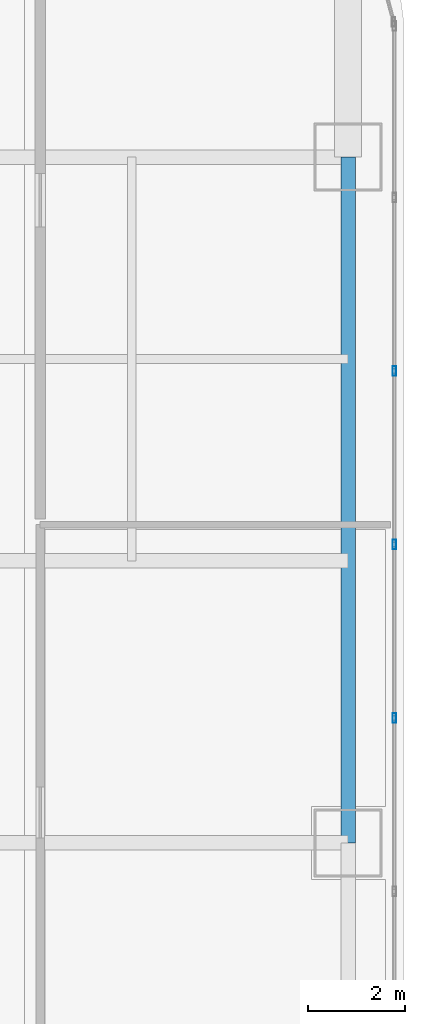
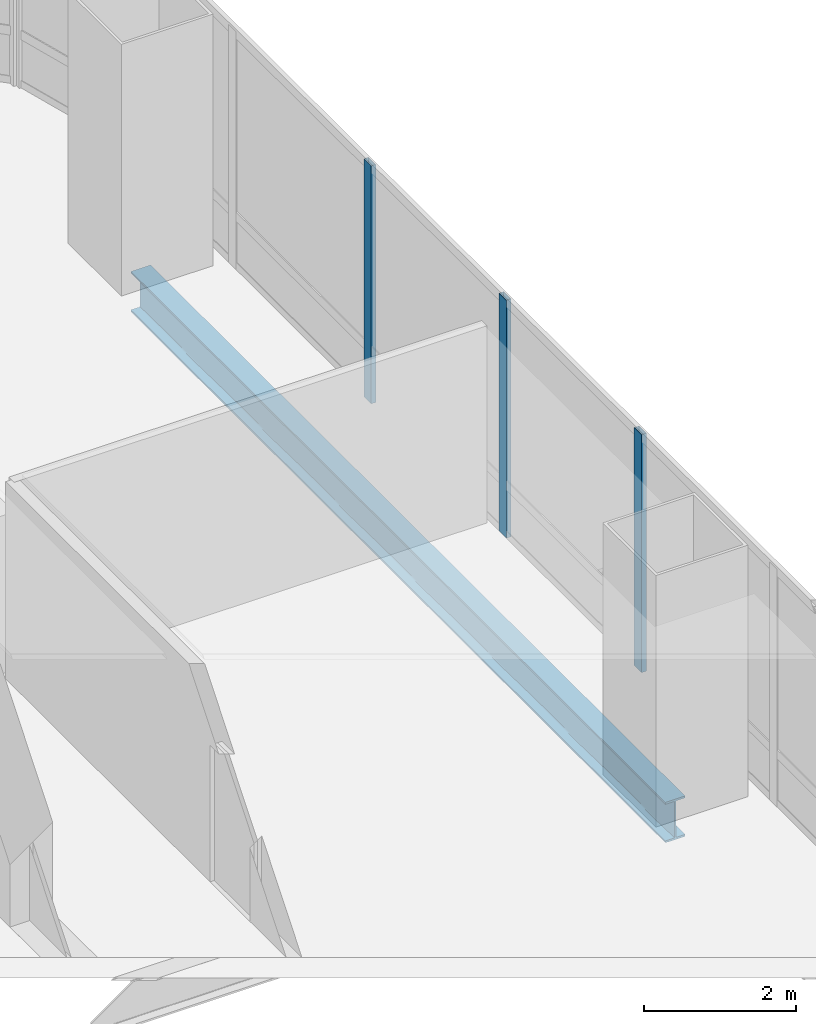
# One storey, part 18 of 38: 3 members, 1 beam, 1 element without a shape of its own.
"""IFC4 building model written with IfcOpenShell, lengths in metres."""

import ifcopenshell
import ifcopenshell.guid

model = None  # the IFC model being written
_history = None  # IfcOwnerHistory: only IFC2X3 demands one
_inside = {}  # id of a spatial element -> (the spatial element, [elements in it])
_under = {}  # id of a project, library or spatial element -> (it, [spatial elements below it])
_declared = {}  # id of a project -> (the project, [libraries it declares])
_typed = {}  # id of a type object -> (the type object, [elements of that type])
_made_of = {}  # id of a material, layer set ... -> (it, [elements and type objects made of it])


def new_model(schema):
    """Start an empty IFC model of exactly this schema.

    Asked for "IFC4X3", IfcOpenShell would pick the latest addendum, in which some entities
    have other attributes; the version numbers below select the first issue.
    IFC2X3 requires an IfcOwnerHistory on every rooted entity: one is made here for all.
    """
    global model, _history
    if schema == "IFC4X3":
        model = ifcopenshell.file(schema_version=(4, 3, 0, 0))
    else:
        model = ifcopenshell.file(schema=schema)
    _inside.clear()
    _under.clear()
    _declared.clear()
    _typed.clear()
    _made_of.clear()
    _history = None
    if model.schema == "IFC2X3":
        org = make("IfcOrganization", Name="unknown")
        user = make(
            "IfcPersonAndOrganization",
            ThePerson=make("IfcPerson", FamilyName="unknown"),
            TheOrganization=org,
        )
        app = make(
            "IfcApplication",
            ApplicationDeveloper=org,
            Version="unknown",
            ApplicationFullName="unknown",
            ApplicationIdentifier="unknown",
        )
        _history = make(
            "IfcOwnerHistory",
            OwningUser=user,
            OwningApplication=app,
            ChangeAction="ADDED",
            CreationDate=0,
        )
    return model


def make(cls, **values):
    """One entity of the class cls with the attributes given. An attribute that is None is left unset."""
    return model.create_entity(
        cls, **{name: value for name, value in values.items() if value is not None}
    )


def rooted(cls, **values):
    """An entity with a GlobalId (a new one), such as an element, a storey or a relation."""
    return make(cls, GlobalId=ifcopenshell.guid.new(), OwnerHistory=_history, **values)


def si_unit(unit_type, name, prefix=None):
    """IfcSIUnit, for example si_unit("LENGTHUNIT", "METRE", prefix="MILLI")."""
    return make("IfcSIUnit", UnitType=unit_type, Prefix=prefix, Name=name)


def assignment(units):
    """IfcUnitAssignment: the units of a project."""
    return None if units is None else make("IfcUnitAssignment", Units=units)


def point(xyz):
    """IfcCartesianPoint."""
    return None if xyz is None else make("IfcCartesianPoint", Coordinates=xyz)


def direction(xyz):
    """IfcDirection."""
    return None if xyz is None else make("IfcDirection", DirectionRatios=xyz)


def frame(location, z_axis=None, x_axis=None):
    """IfcAxis2Placement3D, a coordinate frame: its origin and axes. An axis left out is left unset."""
    return make(
        "IfcAxis2Placement3D",
        Location=point(location),
        Axis=direction(z_axis),
        RefDirection=direction(x_axis),
    )


def frame_2d(location, x_axis=None):
    """IfcAxis2Placement2D, a coordinate frame in the plane: its origin and x axis."""
    return make(
        "IfcAxis2Placement2D", Location=point(location), RefDirection=direction(x_axis)
    )


def origin():
    """The frame at (0, 0, 0) with its axes left unset."""
    return frame((0.0, 0.0, 0.0))


def origin_2d():
    """The frame at (0, 0) in the plane with its x axis left unset."""
    return frame_2d((0.0, 0.0))


def place(relative_to, where):
    """IfcLocalPlacement: puts the frame where relative to a parent placement (None: the world)."""
    return make(
        "IfcLocalPlacement", PlacementRelTo=relative_to, RelativePlacement=where
    )


def context(
    kind, dimensions, precision=None, world=None, true_north=None, identifier=None
):
    """IfcGeometricRepresentationContext, for example the 3D "Model" context."""
    return make(
        "IfcGeometricRepresentationContext",
        ContextIdentifier=identifier,
        ContextType=kind,
        CoordinateSpaceDimension=dimensions,
        Precision=precision,
        WorldCoordinateSystem=world,
        TrueNorth=true_north,
    )


def subcontext(parent, identifier, kind, view, scale=None):
    """IfcGeometricRepresentationSubContext, for example "Body" below "Model"."""
    return make(
        "IfcGeometricRepresentationSubContext",
        ContextIdentifier=identifier,
        ContextType=kind,
        ParentContext=parent,
        TargetScale=scale,
        TargetView=view,
    )


def project(units=None, contexts=None):
    """IfcProject with its units and contexts."""
    return rooted(
        "IfcProject",
        Name="project",
        RepresentationContexts=contexts,
        UnitsInContext=assignment(units),
    )


def spatial(cls, under=None, at=None, **own):
    """A site, building, storey or space (cls), placed at a placement, below another one or the project."""
    s = rooted(cls, ObjectPlacement=at, **own)
    if under is not None:
        _under.setdefault(under.id(), (under, []))[1].append(s)
    return s


def profile(cls, at=None, kind="AREA", **sizes):
    """A parametric profile (cls). Its sizes go by their IFC names, for example OverallWidth=200.0."""
    return make(cls, ProfileType=kind, Position=at, **sizes)


def hollow_rectangle(**sizes):
    """IfcRectangleHollowProfileDef."""
    return profile("IfcRectangleHollowProfileDef", **sizes)


def i_section(**sizes):
    """IfcIShapeProfileDef."""
    return profile("IfcIShapeProfileDef", **sizes)


def extrude(swept, where, along, depth):
    """IfcExtrudedAreaSolid: the profile swept, set in the frame where, extruded along a direction by depth."""
    return make(
        "IfcExtrudedAreaSolid",
        SweptArea=swept,
        Position=where,
        ExtrudedDirection=direction(along),
        Depth=depth,
    )


def shape(context_of_items, identifier, shape_type, items):
    """IfcShapeRepresentation: the items that make up one representation, for example the "Body"."""
    return make(
        "IfcShapeRepresentation",
        ContextOfItems=context_of_items,
        RepresentationIdentifier=identifier,
        RepresentationType=shape_type,
        Items=items,
    )


def material(Name=None, Category=None):
    """IfcMaterial."""
    return make("IfcMaterial", Name=Name, Category=Category)


def material_profile(
    of_material, cross_section, Name=None, Category=None, Priority=None
):
    """IfcMaterialProfile: a cross section and its material."""
    return make(
        "IfcMaterialProfile",
        Name=Name,
        Material=of_material,
        Profile=cross_section,
        Priority=Priority,
        Category=Category,
    )


def profile_set(profiles, Name=None, composite=None):
    """IfcMaterialProfileSet."""
    return make(
        "IfcMaterialProfileSet",
        Name=Name,
        MaterialProfiles=profiles,
        CompositeProfile=composite,
    )


def made_of(thing, what):
    """Note that an element or type object is made of a material, layer set ...; save() writes the relation."""
    if what is not None:
        _made_of.setdefault(what.id(), (what, []))[1].append(thing)
    return thing


def type_object(cls, material=None, **own):
    """A type object (cls), such as IfcWallType, which elements share."""
    return made_of(rooted(cls, **own), material)


def element(
    cls,
    number,
    at=None,
    inside=None,
    cuts=None,
    type_object=None,
    material=None,
    context=None,
    identifier="Body",
    shape_type=None,
    held_by="IfcProductDefinitionShape",
    body=None,
    shapes=None,
    **own,
):
    """One element of the class cls, such as IfcWall. Its Tag is "e" and its number.

    at: its placement. inside: the storey or other place that contains it. cuts: it is an
    opening in that element (IfcRelVoidsElement). A single representation is given by context,
    identifier, shape_type and body (its items); several are given by shapes. held_by: the class
    of the entity that holds the representations. save() writes the other relations.
    """
    e = rooted(cls, Tag="e%d" % number, ObjectPlacement=at, **own)
    if body is not None:
        shapes = [shape(context, identifier, shape_type, body)]
    if shapes is not None:
        e.Representation = make(held_by, Representations=shapes)
    if inside is not None:
        _inside.setdefault(inside.id(), (inside, []))[1].append(e)
    if cuts is not None:
        rooted(
            "IfcRelVoidsElement", RelatingBuildingElement=cuts, RelatedOpeningElement=e
        )
    if type_object is not None:
        _typed.setdefault(type_object.id(), (type_object, []))[1].append(e)
    return made_of(e, material)


def aggregate(whole, parts):
    """IfcRelAggregates: a whole, such as a stair, and the parts it consists of."""
    return rooted("IfcRelAggregates", RelatingObject=whole, RelatedObjects=parts)


def save(model, path):
    """Write the relations noted so far, then the file.

    IfcRelAggregates (storeys below a building ...), IfcRelContainedInSpatialStructure (elements
    in a storey), IfcRelDefinesByType, IfcRelAssociatesMaterial and IfcRelDeclares: one each for
    every whole, place, type object, material and project.
    """
    for whole, parts in _under.values():
        aggregate(whole, parts)
    for where, things in _inside.values():
        rooted(
            "IfcRelContainedInSpatialStructure",
            RelatedElements=things,
            RelatingStructure=where,
        )
    for kind, things in _typed.values():
        rooted("IfcRelDefinesByType", RelatedObjects=things, RelatingType=kind)
    for what, things in _made_of.values():
        rooted("IfcRelAssociatesMaterial", RelatedObjects=things, RelatingMaterial=what)
    for by, libraries in _declared.values():
        rooted("IfcRelDeclares", RelatingContext=by, RelatedDefinitions=libraries)
    model.write(path)


model = new_model("IFC4")

# Units and contexts
model_context = context("Model", 3, precision=1e-05, world=origin(), true_north=direction((0.0, 1.0)))
body_context = subcontext(model_context, "Body", "Model", "MODEL_VIEW")
ifc_project = project(units=[si_unit("LENGTHUNIT", "METRE"), si_unit("AREAUNIT", "SQUARE_METRE"), si_unit("VOLUMEUNIT", "CUBIC_METRE"), si_unit("PLANEANGLEUNIT", "RADIAN"), si_unit("MASSUNIT", "GRAM", prefix="KILO")], contexts=[model_context])

# Site, building, storey
site_placement = place(None, origin())
site = spatial("IfcSite", under=ifc_project, at=site_placement, CompositionType="ELEMENT")
building_placement = place(site_placement, origin())
building = spatial("IfcBuilding", under=site, at=building_placement, Name="Punatoya Terracotta Tower", CompositionType="ELEMENT")
storey_placement = place(building_placement, frame((0.0, 0.0, 151.949951171875)))
storey = spatial("IfcBuildingStorey", under=building, at=storey_placement, Name="L35", CompositionType="ELEMENT", Elevation=151.949951171875)

# Beam
ifc_material_1 = material(Name="Steel S355", Category="steel")
ifc_material_profile_1 = material_profile(ifc_material_1, i_section(OverallWidth=0.300048828125, OverallDepth=0.64990234375, WebThickness=0.01611328125, FlangeThickness=0.031005859375, FilletRadius=0.01806640625, at=origin_2d()))
ifc_profile_set_1 = profile_set([ifc_material_profile_1], Name="Steel S355")
beam_type = type_object("IfcBeamType", Name="BM-PRI-650", PredefinedType="BEAM", material=ifc_profile_set_1)
beam_placement = place(storey_placement, frame((19.10009765625, 3.39990234375, -0.544921875), z_axis=(0.0, 1.0, 0.0), x_axis=(-1.0, 0.0, 0.0)))
element("IfcBeam", 1, at=beam_placement, inside=storey, type_object=beam_type, Name="BM-L35-RG-E3", PredefinedType="BEAM", context=body_context, shape_type="SweptSolid", body=[
    extrude(i_section(OverallWidth=0.300048828125, OverallDepth=0.64990234375, WebThickness=0.01611328125, FlangeThickness=0.031005859375, FilletRadius=0.01806640625, at=origin_2d()), origin(), (0.0, 0.0, 1.0), 14.10009765625),
])

# Curtain wall, members
ifc_material_2 = material(Name="Aluminium 6063-T6 + Double Low-E Glass", Category="aluminium")
curtain_wall_type = type_object("IfcCurtainWallType", Name="CW-M2", PredefinedType="NOTDEFINED", material=ifc_material_2)
curtain_wall_placement = place(storey_placement, origin())
curtain_wall = element("IfcCurtainWall", 2, at=curtain_wall_placement, inside=storey, type_object=curtain_wall_type, Name="L35 Curtain Wall CW-L35-E05-1", PredefinedType="NOTDEFINED")
ifc_material_3 = material(Name="Aluminium 6063-T6", Category="aluminium")
ifc_material_profile_2 = material_profile(ifc_material_3, hollow_rectangle(XDim=0.072021484375, YDim=0.195068359375, WallThickness=0.00439453125, at=origin_2d()))
ifc_profile_set_2 = profile_set([ifc_material_profile_2], Name="Aluminium 6063-T6")
member_type = type_object("IfcMemberType", Name="CW-MUL-M2", PredefinedType="MULLION", material=ifc_profile_set_2)
member_1_placement = place(storey_placement, frame((20.050048828125, 5.96728515625, 0.0), z_axis=(0.0, 0.0, 1.0), x_axis=(1.0, 0.0, 0.0)))
member_1 = element("IfcMember", 3, at=member_1_placement, type_object=member_type, Name="CW-L35-E05-1 Mullion 06", PredefinedType="MULLION", context=body_context, shape_type="SweptSolid", body=[
    extrude(hollow_rectangle(XDim=0.072021484375, YDim=0.195068359375, WallThickness=0.00439453125, at=origin_2d()), origin(), (0.0, 0.0, 1.0), 3.830078125),
])
member_2_placement = place(storey_placement, frame((20.050048828125, 9.534912109375, 0.0), z_axis=(0.0, 0.0, 1.0), x_axis=(1.0, 0.0, 0.0)))
member_2 = element("IfcMember", 4, at=member_2_placement, type_object=member_type, Name="CW-L35-E05-1 Mullion 07", PredefinedType="MULLION", context=body_context, shape_type="SweptSolid", body=[
    extrude(hollow_rectangle(XDim=0.072021484375, YDim=0.195068359375, WallThickness=0.00439453125, at=origin_2d()), origin(), (0.0, 0.0, 1.0), 3.830078125),
])
member_3_placement = place(storey_placement, frame((20.050048828125, 13.10205078125, 0.0), z_axis=(0.0, 0.0, 1.0), x_axis=(1.0, 0.0, 0.0)))
member_3 = element("IfcMember", 5, at=member_3_placement, type_object=member_type, Name="CW-L35-E05-1 Mullion 08", PredefinedType="MULLION", context=body_context, shape_type="SweptSolid", body=[
    extrude(hollow_rectangle(XDim=0.072021484375, YDim=0.195068359375, WallThickness=0.00439453125, at=origin_2d()), origin(), (0.0, 0.0, 1.0), 3.830078125),
])
aggregate(curtain_wall, [member_1, member_2, member_3])

save(model, "model.ifc")
